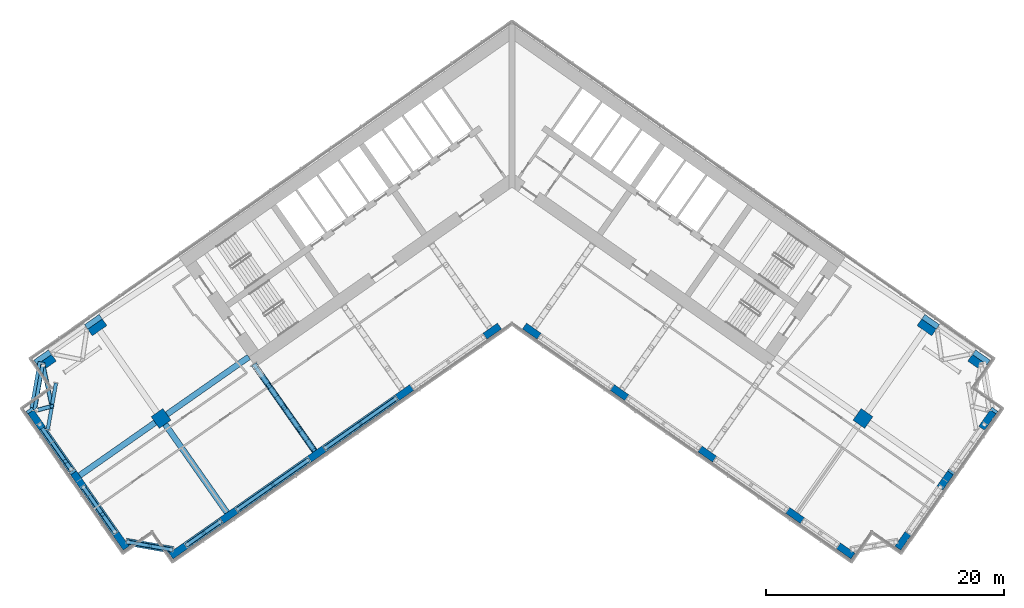
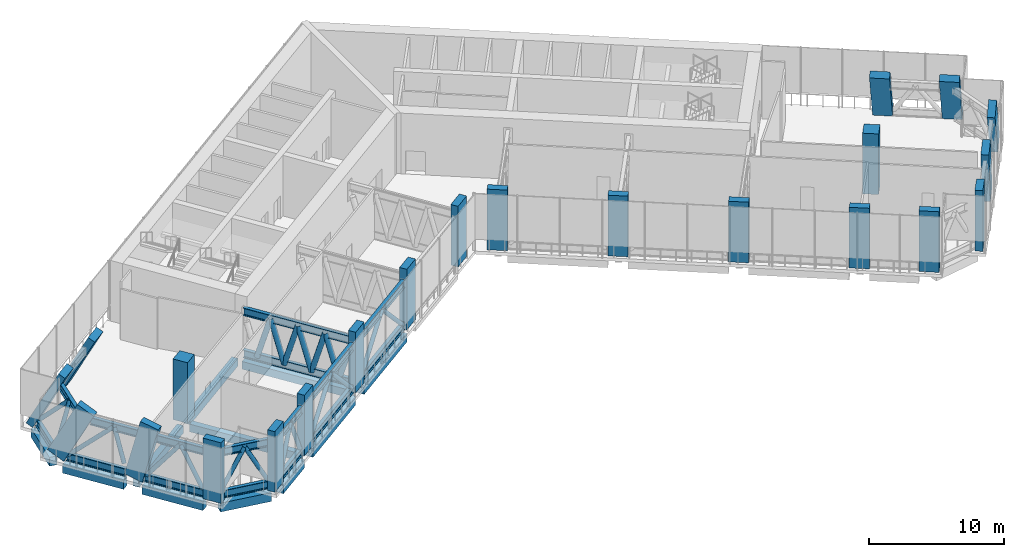
# One storey, part 1 of 24: 37 members, 22 columns, 11 beams.
"""IFC4 building model written with IfcOpenShell, lengths in metres."""

from ifc_helpers import new_model, si_unit, direction, frame, origin, origin_2d, place, context, subcontext, project, spatial, rectangle, hollow_circle, i_section, extrude, clip, halfspace, material, material_profile, profile_set, type_object, element, save


model = new_model("IFC4")

# Units and contexts
model_context = context("Model", 3, precision=1e-05, world=origin(), true_north=direction((0.0, 1.0)))
body_context = subcontext(model_context, "Body", "Model", "MODEL_VIEW")
ifc_project = project(units=[si_unit("LENGTHUNIT", "METRE"), si_unit("AREAUNIT", "SQUARE_METRE"), si_unit("VOLUMEUNIT", "CUBIC_METRE"), si_unit("PLANEANGLEUNIT", "RADIAN"), si_unit("MASSUNIT", "GRAM", prefix="KILO")], contexts=[model_context])

# Site, building, storey
site_placement = place(None, origin())
site = spatial("IfcSite", under=ifc_project, at=site_placement, CompositionType="ELEMENT")
building_placement = place(site_placement, origin())
building = spatial("IfcBuilding", under=site, at=building_placement, Name="Tel Ilan Convention Tower", CompositionType="ELEMENT")
storey_placement = place(building_placement, frame((0.0, 0.0, 126.5)))
storey = spatial("IfcBuildingStorey", under=building, at=storey_placement, Name="L28", CompositionType="ELEMENT", Elevation=126.5)

# Columns
ifc_material_1 = material(Name="Concrete C60/75", Category="concrete")
ifc_material_profile_1 = material_profile(ifc_material_1, rectangle(XDim=1.199951171875, YDim=1.199951171875, at=origin_2d()), Name="RC 1200x1200")
ifc_profile_set_1 = profile_set([ifc_material_profile_1], Name="Concrete C60/75")
column_type_1 = type_object("IfcColumnType", Name="Column RC 1200x1200 C60/75", PredefinedType="COLUMN", material=ifc_profile_set_1)
for number, where, z_axis, x_axis, name in (
    (1, (-29.489501953125, -20.648681640625, 0.0), (0.0, 0.0, 1.0), (-0.819152044289, -0.573576436351, 0.0), "L28 column W-M4"),
    (2, (29.489501953125, -20.648681640625, 0.0), (0.0, 0.0, 1.0), (0.819152044289, -0.573576436351, 0.0), "L28 column E-M4"),
):
    element("IfcColumn", number, at=place(storey_placement, frame(where, z_axis=z_axis, x_axis=x_axis)), inside=storey, type_object=column_type_1, Name=name, PredefinedType="COLUMN", context=body_context, shape_type="SweptSolid", body=[
        extrude(rectangle(XDim=1.199951171875, YDim=1.199951171875, at=origin_2d()), origin(), (0.0, 0.0, 1.0), 5.5),
    ])
ifc_material_2 = material(Name="Concrete C60/75", Category="concrete")
ifc_material_profile_2 = material_profile(ifc_material_2, rectangle(XDim=1.5, YDim=0.60009765625, at=origin_2d()), Name="RC 600x1500")
ifc_profile_set_2 = profile_set([ifc_material_profile_2], Name="Concrete C60/75")
column_type_2 = type_object("IfcColumnType", Name="Column RC 600x1500 C60/75", PredefinedType="COLUMN", material=ifc_profile_set_2)
for number, where, z_axis, x_axis, name in (
    (3, (-1.665283203125, -13.312744140625, 0.0), (0.0, 0.0, 1.0), (-0.819152044289, -0.573576436351, 0.0), "L28 column W-F1"),
    (4, (-9.03759765625, -18.474853515625, 0.0), (0.0, 0.0, 1.0), (-0.819152044289, -0.573576436351, 0.0), "L28 column W-F2"),
    (5, (-16.409912109375, -23.63720703125, 0.0), (0.0, 0.0, 1.0), (-0.819152044289, -0.573576436351, 0.0), "L28 column W-F3"),
    (6, (-23.782470703125, -28.79931640625, 0.0), (0.0, 0.0, 1.0), (-0.819152044289, -0.573576436351, 0.0), "L28 column W-F4"),
    (7, (-28.0419921875, -31.781982421875, 0.0), (0.0, 0.0, 1.0), (-0.819152044289, -0.573576436351, 0.0), "L28 column W-FC"),
):
    element("IfcColumn", number, at=place(storey_placement, frame(where, z_axis=z_axis, x_axis=x_axis)), inside=storey, type_object=column_type_2, Name=name, PredefinedType="COLUMN", context=body_context, shape_type="SweptSolid", body=[
        extrude(rectangle(XDim=1.5, YDim=0.60009765625, at=origin_2d()), origin(), (0.0, 0.0, 1.0), 5.5),
    ])
column_1_placement = place(storey_placement, frame((-35.196533203125, -12.498291015625, 0.0), z_axis=(0.260185843605, -0.371634610267, 0.891173969121), x_axis=(-0.819188821475, -0.573523909503, 0.0)))
element("IfcColumn", 8, at=column_1_placement, inside=storey, type_object=column_type_2, Name="L28 column W-B4", PredefinedType="COLUMN", context=body_context, shape_type="Clipping", body=[
    clip(clip(extrude(rectangle(XDim=1.5, YDim=0.60009765625, at=origin_2d()), origin(), (0.0, 0.0, 1.0), 6.171875), halfspace(frame((0.0, 0.0, 0.152587890625), z_axis=(0.0, 0.0, 1.0), x_axis=(1.0, 0.0, 0.0)), True)), halfspace(frame((0.0, 0.0, 6.01904296875), z_axis=(0.0, 0.0, 1.0), x_axis=(1.0, 0.0, 0.0)), False)),
])
column_2_placement = place(storey_placement, frame((-39.456298828125, -15.48095703125, 0.0), z_axis=(0.260224642099, -0.37163058595, 0.891164318872), x_axis=(-0.819145722339, -0.573585464926, 0.0)))
element("IfcColumn", 9, at=column_2_placement, inside=storey, type_object=column_type_2, Name="L28 column W-BC", PredefinedType="COLUMN", context=body_context, shape_type="Clipping", body=[
    clip(clip(extrude(rectangle(XDim=1.5, YDim=0.60009765625, at=origin_2d()), origin(), (0.0, 0.0, 1.0), 6.171875), halfspace(frame((0.0, 0.0, 0.152587890625), z_axis=(0.0, 0.0, 1.0), x_axis=(1.0, 0.0, 0.0)), True)), halfspace(frame((0.0, 0.0, 6.019287109375), z_axis=(0.0, 0.0, 1.0), x_axis=(1.0, 0.0, 0.0)), False)),
])
column_3_placement = place(storey_placement, frame((-32.846923828125, -30.934814453125, 0.0), z_axis=(0.0, 0.0, 1.0), x_axis=(-0.573576436351, 0.819152044289, 0.0)))
element("IfcColumn", 10, at=column_3_placement, inside=storey, type_object=column_type_2, Name="L28 column W-E1", PredefinedType="COLUMN", context=body_context, shape_type="SweptSolid", body=[
    extrude(rectangle(XDim=1.5, YDim=0.60009765625, at=origin_2d()), origin(), (0.0, 0.0, 1.0), 5.5),
])
column_4_placement = place(storey_placement, frame((-36.5751953125, -25.610107421875, 0.0), z_axis=(0.141498421705, -0.202101070375, 0.969088929876), x_axis=(-0.555808958936, 0.793857515663, 0.246711665698)))
element("IfcColumn", 11, at=column_4_placement, inside=storey, type_object=column_type_2, Name="L28 column W-E2", PredefinedType="COLUMN", context=body_context, shape_type="Clipping", body=[
    clip(clip(extrude(rectangle(XDim=1.5, YDim=0.60009765625, at=origin_2d()), origin(), (0.0, 0.0, 1.0), 5.67529296875), halfspace(frame((0.0, 0.0, 0.19091796875), z_axis=(0.0, 0.0, 1.0), x_axis=(1.0, 0.0, 0.0)), True)), halfspace(frame((0.0, 0.0, 5.484375), z_axis=(0.0, 0.0, 1.0), x_axis=(1.0, 0.0, 0.0)), False)),
])
column_5_placement = place(storey_placement, frame((-40.303466796875, -20.28564453125, 0.0), z_axis=(0.260254273865, -0.37166928651, 0.891139525776), x_axis=(-0.511148016967, 0.729970793355, 0.453729374848)))
element("IfcColumn", 12, at=column_5_placement, inside=storey, type_object=column_type_2, Name="L28 column W-E3", PredefinedType="COLUMN", context=body_context, shape_type="Clipping", body=[
    clip(clip(extrude(rectangle(XDim=1.5, YDim=0.60009765625, at=origin_2d()), origin(), (0.0, 0.0, 1.0), 6.171630859375), halfspace(frame((0.0, 0.0, 0.3818359375), z_axis=(0.0, 0.0, 1.0), x_axis=(1.0, 0.0, 0.0)), True)), halfspace(frame((0.0, 0.0, 5.789794921875), z_axis=(0.0, 0.0, 1.0), x_axis=(1.0, 0.0, 0.0)), False)),
])
for number, where, z_axis, x_axis, name in (
    (13, (1.665283203125, -13.312744140625, 0.0), (0.0, 0.0, 1.0), (0.819152044289, -0.573576436351, 0.0), "L28 column E-F1"),
    (14, (9.03759765625, -18.474853515625, 0.0), (0.0, 0.0, 1.0), (0.819152044289, -0.573576436351, 0.0), "L28 column E-F2"),
    (15, (16.409912109375, -23.63720703125, 0.0), (0.0, 0.0, 1.0), (0.819152044289, -0.573576436351, 0.0), "L28 column E-F3"),
    (16, (23.782470703125, -28.79931640625, 0.0), (0.0, 0.0, 1.0), (0.819152044289, -0.573576436351, 0.0), "L28 column E-F4"),
    (17, (28.0419921875, -31.781982421875, 0.0), (0.0, 0.0, 1.0), (0.819152044289, -0.573576436351, 0.0), "L28 column E-FC"),
):
    element("IfcColumn", number, at=place(storey_placement, frame(where, z_axis=z_axis, x_axis=x_axis)), inside=storey, type_object=column_type_2, Name=name, PredefinedType="COLUMN", context=body_context, shape_type="SweptSolid", body=[
        extrude(rectangle(XDim=1.5, YDim=0.60009765625, at=origin_2d()), origin(), (0.0, 0.0, 1.0), 5.5),
    ])
column_6_placement = place(storey_placement, frame((35.196533203125, -12.498291015625, 0.0), z_axis=(-0.260185843605, -0.371634610267, 0.891173969121), x_axis=(0.819188821475, -0.573523909503, 0.0)))
element("IfcColumn", 18, at=column_6_placement, inside=storey, type_object=column_type_2, Name="L28 column E-B4", PredefinedType="COLUMN", context=body_context, shape_type="Clipping", body=[
    clip(clip(extrude(rectangle(XDim=1.5, YDim=0.60009765625, at=origin_2d()), origin(), (0.0, 0.0, 1.0), 6.171875), halfspace(frame((0.0, 0.0, 0.152587890625), z_axis=(0.0, 0.0, 1.0), x_axis=(1.0, 0.0, 0.0)), True)), halfspace(frame((0.0, 0.0, 6.01904296875), z_axis=(0.0, 0.0, 1.0), x_axis=(1.0, 0.0, 0.0)), False)),
])
column_7_placement = place(storey_placement, frame((39.456298828125, -15.48095703125, 0.0), z_axis=(-0.260224642099, -0.37163058595, 0.891164318872), x_axis=(0.819145722339, -0.573585464926, 0.0)))
element("IfcColumn", 19, at=column_7_placement, inside=storey, type_object=column_type_2, Name="L28 column E-BC", PredefinedType="COLUMN", context=body_context, shape_type="Clipping", body=[
    clip(clip(extrude(rectangle(XDim=1.5, YDim=0.60009765625, at=origin_2d()), origin(), (0.0, 0.0, 1.0), 6.171875), halfspace(frame((0.0, 0.0, 0.152587890625), z_axis=(0.0, 0.0, 1.0), x_axis=(1.0, 0.0, 0.0)), True)), halfspace(frame((0.0, 0.0, 6.019287109375), z_axis=(0.0, 0.0, 1.0), x_axis=(1.0, 0.0, 0.0)), False)),
])
column_8_placement = place(storey_placement, frame((32.846923828125, -30.934814453125, 0.0), z_axis=(0.0, 0.0, 1.0), x_axis=(0.573576436351, 0.819152044289, 0.0)))
element("IfcColumn", 20, at=column_8_placement, inside=storey, type_object=column_type_2, Name="L28 column E-E1", PredefinedType="COLUMN", context=body_context, shape_type="SweptSolid", body=[
    extrude(rectangle(XDim=1.5, YDim=0.60009765625, at=origin_2d()), origin(), (0.0, 0.0, 1.0), 5.5),
])
column_9_placement = place(storey_placement, frame((36.5751953125, -25.610107421875, 0.0), z_axis=(-0.141498421705, -0.202101070375, 0.969088929876), x_axis=(0.555808958936, 0.793857515663, 0.246711665698)))
element("IfcColumn", 21, at=column_9_placement, inside=storey, type_object=column_type_2, Name="L28 column E-E2", PredefinedType="COLUMN", context=body_context, shape_type="Clipping", body=[
    clip(clip(extrude(rectangle(XDim=1.5, YDim=0.60009765625, at=origin_2d()), origin(), (0.0, 0.0, 1.0), 5.67529296875), halfspace(frame((0.0, 0.0, 0.19091796875), z_axis=(0.0, 0.0, 1.0), x_axis=(1.0, 0.0, 0.0)), True)), halfspace(frame((0.0, 0.0, 5.484375), z_axis=(0.0, 0.0, 1.0), x_axis=(1.0, 0.0, 0.0)), False)),
])
column_10_placement = place(storey_placement, frame((40.303466796875, -20.28564453125, 0.0), z_axis=(-0.260254273865, -0.37166928651, 0.891139525776), x_axis=(0.511148016967, 0.729970793355, 0.453729374848)))
element("IfcColumn", 22, at=column_10_placement, inside=storey, type_object=column_type_2, Name="L28 column E-E3", PredefinedType="COLUMN", context=body_context, shape_type="Clipping", body=[
    clip(clip(extrude(rectangle(XDim=1.5, YDim=0.60009765625, at=origin_2d()), origin(), (0.0, 0.0, 1.0), 6.171630859375), halfspace(frame((0.0, 0.0, 0.3818359375), z_axis=(0.0, 0.0, 1.0), x_axis=(1.0, 0.0, 0.0)), True)), halfspace(frame((0.0, 0.0, 5.789794921875), z_axis=(0.0, 0.0, 1.0), x_axis=(1.0, 0.0, 0.0)), False)),
])

# Beams
ifc_material_3 = material(Name="Concrete C40/50", Category="concrete")
ifc_material_profile_3 = material_profile(ifc_material_3, rectangle(XDim=0.5, YDim=0.699951171875, at=origin_2d()), Name="RC 500x700")
ifc_profile_set_3 = profile_set([ifc_material_profile_3], Name="Concrete C40/50")
beam_type_1 = type_object("IfcBeamType", Name="Beam RC 500x700 Concrete C40/50", PredefinedType="BEAM", material=ifc_profile_set_3)
beam_1_placement = place(storey_placement, frame((-16.58203125, -23.391357421875, -0.6298828125), z_axis=(-0.573584999642, 0.819146048141, 0.0), x_axis=(-0.819146048141, -0.573584999642, 0.0)))
element("IfcBeam", 23, at=beam_1_placement, inside=storey, type_object=beam_type_1, Name="L28 beam W-W-F3-core", PredefinedType="BEAM", context=body_context, shape_type="SweptSolid", body=[
    extrude(rectangle(XDim=0.5, YDim=0.699951171875, at=origin_2d()), origin(), (0.0, 0.0, 1.0), 8.949951171875),
])
beam_2_placement = place(storey_placement, frame((-22.1171875, -15.486572265625, -0.6298828125), z_axis=(-0.819147254605, -0.573583276668, 0.0), x_axis=(0.573583276668, -0.819147254605, 0.0)))
element("IfcBeam", 24, at=beam_2_placement, inside=storey, type_object=beam_type_1, Name="L28 beam W-core-W-M4", PredefinedType="BEAM", context=body_context, shape_type="SweptSolid", body=[
    extrude(rectangle(XDim=0.5, YDim=0.699951171875, at=origin_2d()), origin(), (0.0, 0.0, 1.0), 8.400146484375),
])
beam_3_placement = place(storey_placement, frame((-29.98095703125, -20.992919921875, -0.6298828125), z_axis=(-0.819159394801, -0.573565938589, 0.0), x_axis=(0.573565938589, -0.819159394801, 0.0)))
element("IfcBeam", 25, at=beam_3_placement, inside=storey, type_object=beam_type_1, Name="L28 beam W-W-M4-end", PredefinedType="BEAM", context=body_context, shape_type="SweptSolid", body=[
    extrude(rectangle(XDim=0.5, YDim=0.699951171875, at=origin_2d()), origin(), (0.0, 0.0, 1.0), 7.75),
])
beam_4_placement = place(storey_placement, frame((-29.145263671875, -21.14013671875, -0.6298828125), z_axis=(0.573549245583, -0.819171082798, 0.0), x_axis=(0.819171082798, 0.573549245583, 0.0)))
element("IfcBeam", 26, at=beam_4_placement, inside=storey, type_object=beam_type_1, Name="L28 beam W-W-M4-W-F4", PredefinedType="BEAM", context=body_context, shape_type="SweptSolid", body=[
    extrude(rectangle(XDim=0.5, YDim=0.699951171875, at=origin_2d()), origin(), (0.0, 0.0, 1.0), 9.050048828125),
])
ifc_material_4 = material(Name="Concrete C40/50", Category="concrete")
ifc_material_profile_4 = material_profile(ifc_material_4, rectangle(XDim=0.60009765625, YDim=0.800048828125, at=origin_2d()), Name="RC 600x800")
ifc_profile_set_4 = profile_set([ifc_material_profile_4], Name="Concrete C40/50")
beam_type_2 = type_object("IfcBeamType", Name="Beam RC 600x800 Concrete C40/50", PredefinedType="BEAM", material=ifc_profile_set_4)
for number, where, z_axis, x_axis, name in (
    (27, (-9.652099609375, -18.905029296875, -0.679931640625), (-0.81915238829, -0.573575945067, 0.0), (0.573575945067, -0.81915238829, 0.0), "L28 beam W-W-F2-W-F3"),
    (28, (-17.0244140625, -24.0673828125, -0.679931640625), (-0.81915238829, -0.573575945067, 0.0), (0.573575945067, -0.81915238829, 0.0), "L28 beam W-W-F3-W-F4"),
):
    element("IfcBeam", number, at=place(storey_placement, frame(where, z_axis=z_axis, x_axis=x_axis)), inside=storey, type_object=beam_type_2, Name=name, PredefinedType="BEAM", context=body_context, shape_type="SweptSolid", body=[
        extrude(rectangle(XDim=0.60009765625, YDim=0.800048828125, at=origin_2d()), origin(), (0.0, 0.0, 1.0), 7.5),
    ])
beam_5_placement = place(storey_placement, frame((-24.396728515625, -29.2294921875, -0.679931640625), z_axis=(-0.819132709951, -0.573604047656, 0.0), x_axis=(0.573604047656, -0.819132709951, 0.0)))
element("IfcBeam", 29, at=beam_5_placement, inside=storey, type_object=beam_type_2, Name="L28 beam W-W-F4-W-FC", PredefinedType="BEAM", context=body_context, shape_type="SweptSolid", body=[
    extrude(rectangle(XDim=0.60009765625, YDim=0.800048828125, at=origin_2d()), origin(), (0.0, 0.0, 1.0), 3.699951171875),
])
beam_6_placement = place(storey_placement, frame((-28.459716796875, -31.708251953125, -0.679931640625), z_axis=(-0.984806721117, 0.173654029734, 0.0), x_axis=(-0.173654029734, -0.984806721117, 0.0)))
element("IfcBeam", 30, at=beam_6_placement, inside=storey, type_object=beam_type_2, Name="L28 beam W-W-FC-W-E1", PredefinedType="BEAM", context=body_context, shape_type="SweptSolid", body=[
    extrude(rectangle(XDim=0.60009765625, YDim=0.800048828125, at=origin_2d()), origin(), (0.0, 0.0, 1.0), 4.03076171875),
])
for number, where, z_axis, x_axis, name in (
    (31, (-33.277099609375, -30.3203125, -0.679931640625), (-0.573586866468, 0.819144740944, 0.0), (-0.819144740944, -0.573586866468, 0.0), "L28 beam W-W-E1-W-E2"),
    (32, (-37.00537109375, -24.995849609375, -0.679931640625), (-0.573586866468, 0.819144740944, 0.0), (-0.819144740944, -0.573586866468, 0.0), "L28 beam W-W-E2-W-E3"),
):
    element("IfcBeam", number, at=place(storey_placement, frame(where, z_axis=z_axis, x_axis=x_axis)), inside=storey, type_object=beam_type_2, Name=name, PredefinedType="BEAM", context=body_context, shape_type="SweptSolid", body=[
        extrude(rectangle(XDim=0.60009765625, YDim=0.800048828125, at=origin_2d()), origin(), (0.0, 0.0, 1.0), 5.0),
    ])
beam_7_placement = place(storey_placement, frame((-40.229736328125, -19.867919921875, -0.679931640625), z_axis=(0.173664388751, 0.984804894423, 0.0), x_axis=(-0.984804894423, 0.173664388751, 0.0)))
element("IfcBeam", 33, at=beam_7_placement, inside=storey, type_object=beam_type_2, Name="L28 beam W-W-E3-W-BC", PredefinedType="BEAM", context=body_context, shape_type="SweptSolid", body=[
    extrude(rectangle(XDim=0.60009765625, YDim=0.800048828125, at=origin_2d()), origin(), (0.0, 0.0, 1.0), 4.030517578125),
])

# Members
ifc_material_5 = material(Name="Steel S355", Category="steel")
ifc_material_profile_5 = material_profile(ifc_material_5, i_section(OverallWidth=0.300048828125, OverallDepth=0.699951171875, WebThickness=0.01708984375, FlangeThickness=0.031982421875, FilletRadius=0.027099609375, at=origin_2d()), Name="HEB 700")
ifc_profile_set_5 = profile_set([ifc_material_profile_5], Name="Steel S355")
member_type_1 = type_object("IfcMemberType", Name="Belt Truss Chord HEB 700 Steel S355", PredefinedType="CHORD", material=ifc_profile_set_5)
for number, where, z_axis, x_axis, name in (
    (34, (-9.672607421875, -18.91943359375, 0.35009765625), (-0.819142615253, -0.573589902175, 0.0), (0.573589902175, -0.819142615253, 0.0), "L28 W-F2-W-F3 belt member"),
    (35, (-9.672607421875, -18.91943359375, 4.169921875), (-0.819142615253, -0.573589902175, 0.0), (0.573589902175, -0.819142615253, 0.0), "L28 W-F2-W-F3 belt member"),
    (36, (-17.044921875, -24.08154296875, 0.35009765625), (-0.819142615253, -0.573589902175, 0.0), (0.573589902175, -0.819142615253, 0.0), "L28 W-F3-W-F4 belt member"),
    (37, (-17.044921875, -24.08154296875, 4.169921875), (-0.819142615253, -0.573589902175, 0.0), (0.573589902175, -0.819142615253, 0.0), "L28 W-F3-W-F4 belt member"),
):
    element("IfcMember", number, at=place(storey_placement, frame(where, z_axis=z_axis, x_axis=x_axis)), inside=storey, type_object=member_type_1, Name=name, PredefinedType="CHORD", context=body_context, shape_type="SweptSolid", body=[
        extrude(i_section(OverallWidth=0.300048828125, OverallDepth=0.699951171875, WebThickness=0.01708984375, FlangeThickness=0.031982421875, FilletRadius=0.027099609375, at=origin_2d()), origin(), (0.0, 0.0, 1.0), 7.449951171875),
    ])
for number, where, z_axis, x_axis, name in (
    (38, (-24.417236328125, -29.243896484375, 0.35009765625), (-0.819143920381, -0.57358803832, 0.0), (0.57358803832, -0.819143920381, 0.0), "L28 W-F4-W-FC belt member"),
    (39, (-24.417236328125, -29.243896484375, 4.169921875), (-0.819143920381, -0.57358803832, 0.0), (0.57358803832, -0.819143920381, 0.0), "L28 W-F4-W-FC belt member"),
):
    element("IfcMember", number, at=place(storey_placement, frame(where, z_axis=z_axis, x_axis=x_axis)), inside=storey, type_object=member_type_1, Name=name, PredefinedType="CHORD", context=body_context, shape_type="SweptSolid", body=[
        extrude(i_section(OverallWidth=0.300048828125, OverallDepth=0.699951171875, WebThickness=0.01708984375, FlangeThickness=0.031982421875, FilletRadius=0.027099609375, at=origin_2d()), origin(), (0.0, 0.0, 1.0), 3.64990234375),
    ])
for number, where, z_axis, x_axis, name in (
    (40, (-28.484375, -31.703857421875, 0.35009765625), (-0.984810714056, 0.173631383913, 0.0), (-0.173631383913, -0.984810714056, 0.0), "L28 W-FC-W-E1 belt member"),
    (41, (-28.484375, -31.703857421875, 4.169921875), (-0.984810714056, 0.173631383913, 0.0), (-0.173631383913, -0.984810714056, 0.0), "L28 W-FC-W-E1 belt member"),
):
    element("IfcMember", number, at=place(storey_placement, frame(where, z_axis=z_axis, x_axis=x_axis)), inside=storey, type_object=member_type_1, Name=name, PredefinedType="CHORD", context=body_context, shape_type="SweptSolid", body=[
        extrude(i_section(OverallWidth=0.300048828125, OverallDepth=0.699951171875, WebThickness=0.01708984375, FlangeThickness=0.031982421875, FilletRadius=0.027099609375, at=origin_2d()), origin(), (0.0, 0.0, 1.0), 3.980712890625),
    ])
member_1_placement = place(storey_placement, frame((-33.29150390625, -30.2998046875, 0.35009765625), z_axis=(-0.573587061335, 0.819144604493, 0.0), x_axis=(-0.819144604493, -0.573587061335, 0.0)))
element("IfcMember", 42, at=member_1_placement, inside=storey, type_object=member_type_1, Name="L28 W-E1-W-E2 belt member", PredefinedType="CHORD", context=body_context, shape_type="SweptSolid", body=[
    extrude(i_section(OverallWidth=0.300048828125, OverallDepth=0.699951171875, WebThickness=0.01708984375, FlangeThickness=0.031982421875, FilletRadius=0.027099609375, at=origin_2d()), origin(), (0.0, 0.0, 1.0), 4.86083984375),
])
member_2_placement = place(storey_placement, frame((-33.29150390625, -30.2998046875, 4.169921875), z_axis=(-0.573550831465, 0.819169972427, 0.0), x_axis=(-0.819169972427, -0.573550831465, 0.0)))
element("IfcMember", 43, at=member_2_placement, inside=storey, type_object=member_type_1, Name="L28 W-E1-W-E2 belt member", PredefinedType="CHORD", context=body_context, shape_type="SweptSolid", body=[
    extrude(i_section(OverallWidth=0.300048828125, OverallDepth=0.699951171875, WebThickness=0.01708984375, FlangeThickness=0.031982421875, FilletRadius=0.027099609375, at=origin_2d()), origin(), (0.0, 0.0, 1.0), 3.888427734375),
])
member_3_placement = place(storey_placement, frame((-36.968505859375, -25.04833984375, 0.35009765625), z_axis=(-0.573563463091, 0.81916112811, 0.0), x_axis=(-0.81916112811, -0.573563463091, 0.0)))
element("IfcMember", 44, at=member_3_placement, inside=storey, type_object=member_type_1, Name="L28 W-E2-W-E3 belt member", PredefinedType="CHORD", context=body_context, shape_type="SweptSolid", body=[
    extrude(i_section(OverallWidth=0.300048828125, OverallDepth=0.699951171875, WebThickness=0.01708984375, FlangeThickness=0.031982421875, FilletRadius=0.027099609375, at=origin_2d()), origin(), (0.0, 0.0, 1.0), 4.861083984375),
])
member_4_placement = place(storey_placement, frame((-36.410888671875, -25.8447265625, 4.169921875), z_axis=(-0.573550831465, 0.819169972427, 0.0), x_axis=(-0.819169972427, -0.573550831465, 0.0)))
element("IfcMember", 45, at=member_4_placement, inside=storey, type_object=member_type_1, Name="L28 W-E2-W-E3 belt member", PredefinedType="CHORD", context=body_context, shape_type="SweptSolid", body=[
    extrude(i_section(OverallWidth=0.300048828125, OverallDepth=0.699951171875, WebThickness=0.01708984375, FlangeThickness=0.031982421875, FilletRadius=0.027099609375, at=origin_2d()), origin(), (0.0, 0.0, 1.0), 3.888427734375),
])
for number, where, z_axis, x_axis, name in (
    (46, (-40.123291015625, -19.9892578125, 0.35009765625), (0.173690866103, 0.984800224935, 0.0), (-0.984800224935, 0.173690866103, 0.0), "L28 W-E3-W-BC belt member"),
    (47, (-39.0078125, -21.582275390625, 4.169921875), (0.173690866103, 0.984800224935, 0.0), (-0.984800224935, 0.173690866103, 0.0), "L28 W-E3-W-BC belt member"),
):
    element("IfcMember", number, at=place(storey_placement, frame(where, z_axis=z_axis, x_axis=x_axis)), inside=storey, type_object=member_type_1, Name=name, PredefinedType="CHORD", context=body_context, shape_type="SweptSolid", body=[
        extrude(i_section(OverallWidth=0.300048828125, OverallDepth=0.699951171875, WebThickness=0.01708984375, FlangeThickness=0.031982421875, FilletRadius=0.027099609375, at=origin_2d()), origin(), (0.0, 0.0, 1.0), 3.980712890625),
    ])
ifc_material_6 = material(Name="Steel S355", Category="steel")
ifc_material_profile_6 = material_profile(ifc_material_6, hollow_circle(Radius=0.177734375, WallThickness=0.01416015625, at=origin_2d()), Name="CHS 355.6x14.2")
ifc_profile_set_6 = profile_set([ifc_material_profile_6], Name="Steel S355")
member_type_2 = type_object("IfcMemberType", Name="Belt Truss Diagonal CHS 355.6x14.2 Steel S355", PredefinedType="BRACE", material=ifc_profile_set_6)
for number, where, z_axis, x_axis, name in (
    (48, (-9.787841796875, -19.000244140625, 0.51904296875), (-0.573876079027, -0.401799150625, 0.713599109078), (0.573544630391, -0.819174314142, 0.0), "L28 W-F2-W-F3 belt member"),
    (49, (-12.723876953125, -21.055908203125, 4.169921875), (-0.573865075363, -0.401839165111, -0.713585426324), (0.57359033735, -0.819142310529, 0.0), "L28 W-F2-W-F3 belt member"),
):
    element("IfcMember", number, at=place(storey_placement, frame(where, z_axis=z_axis, x_axis=x_axis)), inside=storey, type_object=member_type_2, Name=name, PredefinedType="BRACE", context=body_context, shape_type="SweptSolid", body=[
        extrude(hollow_circle(Radius=0.177734375, WallThickness=0.01416015625, at=origin_2d()), origin(), (0.0, 0.0, 1.0), 5.1162109375),
    ])
for number, where, z_axis, x_axis, name in (
    (50, (-17.160400390625, -24.16259765625, 0.51904296875), (-0.573844073778, -0.401810153947, 0.713618651084), (0.573576635327, -0.819151904965, 0.0), "L28 W-F3-W-F4 belt member"),
    (51, (-20.09619140625, -26.21826171875, 4.169921875), (-0.573844073778, -0.401810153947, -0.713618651084), (0.573576635327, -0.819151904965, 0.0), "L28 W-F3-W-F4 belt member"),
):
    element("IfcMember", number, at=place(storey_placement, frame(where, z_axis=z_axis, x_axis=x_axis)), inside=storey, type_object=member_type_2, Name=name, PredefinedType="BRACE", context=body_context, shape_type="SweptSolid", body=[
        extrude(hollow_circle(Radius=0.177734375, WallThickness=0.01416015625, at=origin_2d()), origin(), (0.0, 0.0, 1.0), 5.115966796875),
    ])
for number, where, z_axis, x_axis, name in (
    (52, (-24.555419921875, -29.340576171875, 0.75), (-0.357037397618, -0.249996853362, 0.900014372114), (0.573571165261, -0.819155735121, 0.0), "L28 W-F4-W-FC belt member"),
    (53, (-25.912109375, -30.29052734375, 4.169921875), (-0.357037397618, -0.249996853362, -0.900014372114), (0.573571165261, -0.819155735121, 0.0), "L28 W-F4-W-FC belt member"),
):
    element("IfcMember", number, at=place(storey_placement, frame(where, z_axis=z_axis, x_axis=x_axis)), inside=storey, type_object=member_type_2, Name=name, PredefinedType="BRACE", context=body_context, shape_type="SweptSolid", body=[
        extrude(hollow_circle(Radius=0.177734375, WallThickness=0.01416015625, at=origin_2d()), origin(), (0.0, 0.0, 1.0), 3.7998046875),
    ])
member_5_placement = place(storey_placement, frame((-28.6484375, -31.675048828125, 0.713134765625), z_axis=(-0.459507542706, 0.081019750257, 0.884470812557), x_axis=(-0.173640222265, -0.984809155731, 0.0)))
element("IfcMember", 54, at=member_5_placement, inside=storey, type_object=member_type_2, Name="L28 W-FC-W-E1 belt member", PredefinedType="BRACE", context=body_context, shape_type="SweptSolid", body=[
    extrude(hollow_circle(Radius=0.177734375, WallThickness=0.01416015625, at=origin_2d()), origin(), (0.0, 0.0, 1.0), 3.908203125),
])
member_6_placement = place(storey_placement, frame((-30.4443359375, -31.3583984375, 4.169921875), z_axis=(-0.459554491292, 0.081079479366, -0.884440946338), x_axis=(-0.173747152922, -0.984790295876, 0.0)))
element("IfcMember", 55, at=member_6_placement, inside=storey, type_object=member_type_2, Name="L28 W-FC-W-E1 belt member", PredefinedType="BRACE", context=body_context, shape_type="SweptSolid", body=[
    extrude(hollow_circle(Radius=0.177734375, WallThickness=0.01416015625, at=origin_2d()), origin(), (0.0, 0.0, 1.0), 3.908447265625),
])
member_7_placement = place(storey_placement, frame((-33.38720703125, -30.162841796875, 0.722900390625), z_axis=(-0.262832292245, 0.37533080871, 0.888845301606), x_axis=(-0.819128633022, -0.573609869653, 0.0)))
element("IfcMember", 56, at=member_7_placement, inside=storey, type_object=member_type_2, Name="L28 W-E1-W-E2 belt member", PredefinedType="BRACE", context=body_context, shape_type="SweptSolid", body=[
    extrude(hollow_circle(Radius=0.177734375, WallThickness=0.01416015625, at=origin_2d()), origin(), (0.0, 0.0, 1.0), 3.878173828125),
])
member_8_placement = place(storey_placement, frame((-34.406494140625, -28.707275390625, 4.169921875), z_axis=(-0.349973217311, 0.4998154388, -0.792277271101), x_axis=(-0.819153061236, -0.573574983997, 0.0)))
element("IfcMember", 57, at=member_8_placement, inside=storey, type_object=member_type_2, Name="L28 W-E1-W-E2 belt member", PredefinedType="BRACE", context=body_context, shape_type="SweptSolid", body=[
    extrude(hollow_circle(Radius=0.177734375, WallThickness=0.01416015625, at=origin_2d()), origin(), (0.0, 0.0, 1.0), 4.529541015625),
])
member_9_placement = place(storey_placement, frame((-37.070068359375, -24.9033203125, 1.12451171875), z_axis=(-0.144820413412, 0.206875223659, 0.967589628766), x_axis=(-0.819217489541, -0.573482959495, 0.0)))
element("IfcMember", 58, at=member_9_placement, inside=storey, type_object=member_type_2, Name="L28 W-E2-W-E3 belt member", PredefinedType="BRACE", context=body_context, shape_type="SweptSolid", body=[
    extrude(hollow_circle(Radius=0.177734375, WallThickness=0.01416015625, at=origin_2d()), origin(), (0.0, 0.0, 1.0), 3.1474609375),
])
member_10_placement = place(storey_placement, frame((-37.52587890625, -24.252197265625, 4.169921875), z_axis=(-0.410505503727, 0.586223474683, -0.698446325168), x_axis=(-0.819134050212, -0.573602133699, 0.0)))
element("IfcMember", 59, at=member_10_placement, inside=storey, type_object=member_type_2, Name="L28 W-E2-W-E3 belt member", PredefinedType="BRACE", context=body_context, shape_type="SweptSolid", body=[
    extrude(hollow_circle(Radius=0.177734375, WallThickness=0.01416015625, at=origin_2d()), origin(), (0.0, 0.0, 1.0), 5.24072265625),
])
member_11_placement = place(storey_placement, frame((-39.9365234375, -19.962890625, 0.84765625), z_axis=(0.356522040086, 0.095277441747, 0.929416076914), x_axis=(-0.258180979791, 0.966096569539, 0.0)))
element("IfcMember", 60, at=member_11_placement, inside=storey, type_object=member_type_2, Name="L28 W-E3-W-BC belt member", PredefinedType="BRACE", context=body_context, shape_type="SweptSolid", body=[
    extrude(hollow_circle(Radius=0.177734375, WallThickness=0.01416015625, at=origin_2d()), origin(), (0.0, 0.0, 1.0), 3.574462890625),
])
member_12_placement = place(storey_placement, frame((-38.662109375, -19.622314453125, 4.169921875), z_axis=(-0.144713906449, 0.676411758586, -0.722166890772), x_axis=(-0.977870920227, -0.209209137885, 0.0)))
element("IfcMember", 61, at=member_12_placement, inside=storey, type_object=member_type_2, Name="L28 W-E3-W-BC belt member", PredefinedType="BRACE", context=body_context, shape_type="SweptSolid", body=[
    extrude(hollow_circle(Radius=0.177734375, WallThickness=0.01416015625, at=origin_2d()), origin(), (0.0, 0.0, 1.0), 5.047607421875),
])
ifc_material_7 = material(Name="Steel S355", Category="steel")
ifc_material_profile_7 = material_profile(ifc_material_7, i_section(OverallWidth=0.300048828125, OverallDepth=0.699951171875, WebThickness=0.01708984375, FlangeThickness=0.031982421875, FilletRadius=0.027099609375, at=origin_2d()), Name="HEB 700")
ifc_profile_set_7 = profile_set([ifc_material_profile_7], Name="Steel S355")
member_type_3 = type_object("IfcMemberType", Name="Outrigger Chord HEB 700 Steel S355", PredefinedType="CHORD", material=ifc_profile_set_7)
for number, where, z_axis, x_axis, name in (
    (62, (-16.58203125, -23.391357421875, 0.35009765625), (-0.573585409399, 0.81914576122, 0.0), (-0.81914576122, -0.573585409399, 0.0), "L28 W-F3 outrigger member"),
    (63, (-16.58203125, -23.391357421875, 4.169921875), (-0.573585409399, 0.81914576122, 0.0), (-0.81914576122, -0.573585409399, 0.0), "L28 W-F3 outrigger member"),
):
    element("IfcMember", number, at=place(storey_placement, frame(where, z_axis=z_axis, x_axis=x_axis)), inside=storey, type_object=member_type_3, Name=name, PredefinedType="CHORD", context=body_context, shape_type="SweptSolid", body=[
        extrude(i_section(OverallWidth=0.300048828125, OverallDepth=0.699951171875, WebThickness=0.01708984375, FlangeThickness=0.031982421875, FilletRadius=0.027099609375, at=origin_2d()), origin(), (0.0, 0.0, 1.0), 8.920166015625),
    ])
ifc_material_8 = material(Name="Steel S355", Category="steel")
ifc_material_profile_8 = material_profile(ifc_material_8, hollow_circle(Radius=0.228515625, WallThickness=0.01611328125, at=origin_2d()), Name="CHS 457x16")
ifc_profile_set_8 = profile_set([ifc_material_profile_8], Name="Steel S355")
member_type_4 = type_object("IfcMemberType", Name="Outrigger Diagonal CHS 457x16 Steel S355", PredefinedType="BRACE", material=ifc_profile_set_8)
for number, where, z_axis, x_axis, name in (
    (64, (-16.58203125, -23.391357421875, 4.169921875), (-0.161256796296, 0.230200363826, -0.959689553003), (-0.819037072618, -0.573740597899, 0.0), "L28 W-F3 outrigger member"),
    (65, (-17.223876953125, -22.47509765625, 0.35009765625), (-0.16119477633, 0.23026072692, 0.959685491045), (-0.819211415764, -0.573491635756, 0.0), "L28 W-F3 outrigger member"),
    (66, (-17.865478515625, -21.55859375, 4.169921875), (-0.16119477633, 0.23026072692, -0.959685491045), (-0.819211415764, -0.573491635756, 0.0), "L28 W-F3 outrigger member"),
    (67, (-18.507080078125, -20.64208984375, 0.35009765625), (-0.16119477633, 0.23026072692, 0.959685491045), (-0.819211415764, -0.573491635756, 0.0), "L28 W-F3 outrigger member"),
    (68, (-19.148681640625, -19.7255859375, 4.169921875), (-0.161254519101, 0.230258449869, -0.959676000707), (-0.81910889168, -0.57363805973, 0.0), "L28 W-F3 outrigger member"),
    (69, (-19.79052734375, -18.80908203125, 0.35009765625), (-0.161197052726, 0.230202640366, 0.959699043743), (-0.819139624372, -0.573594173421, 0.0), "L28 W-F3 outrigger member"),
    (70, (-20.43212890625, -17.892822265625, 4.169921875), (-0.161254519101, 0.230258449869, -0.959676000707), (-0.81910889168, -0.57363805973, 0.0), "L28 W-F3 outrigger member"),
):
    element("IfcMember", number, at=place(storey_placement, frame(where, z_axis=z_axis, x_axis=x_axis)), inside=storey, type_object=member_type_4, Name=name, PredefinedType="BRACE", context=body_context, shape_type="SweptSolid", body=[
        extrude(hollow_circle(Radius=0.228515625, WallThickness=0.01611328125, at=origin_2d()), origin(), (0.0, 0.0, 1.0), 3.980224609375),
    ])

save(model, "model.ifc")
